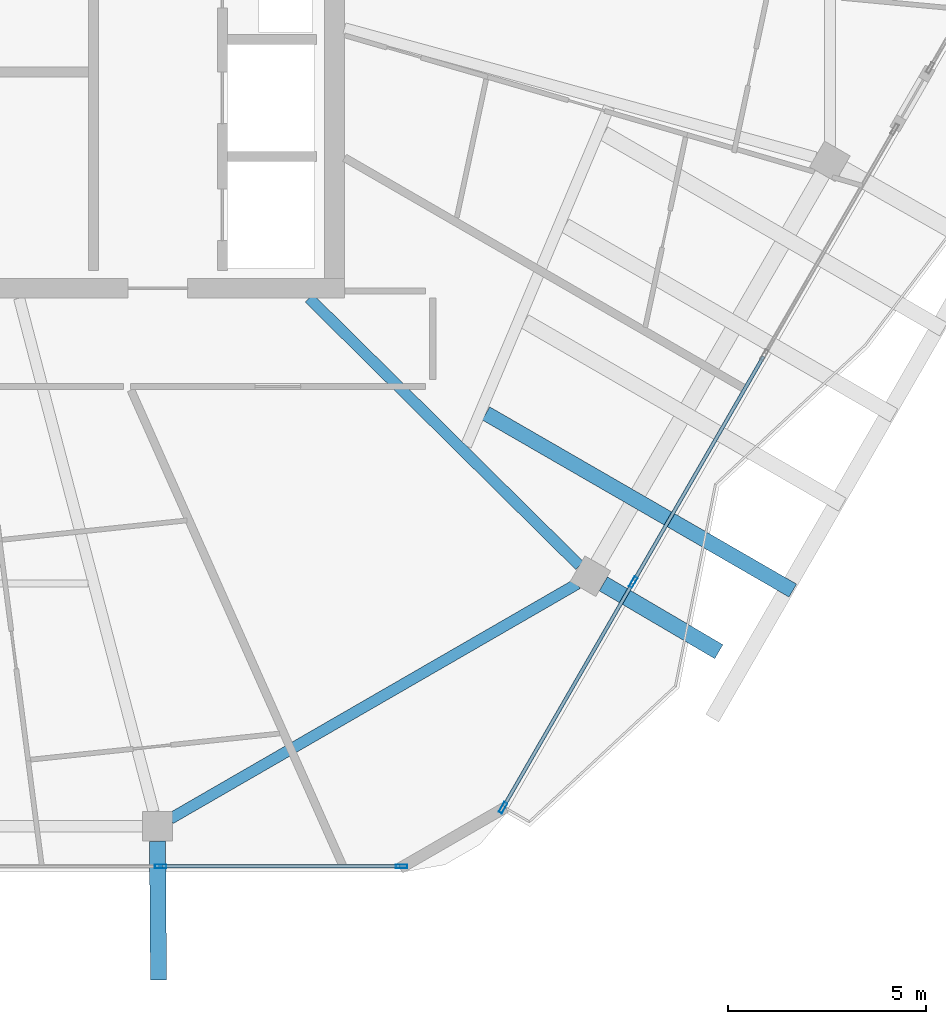
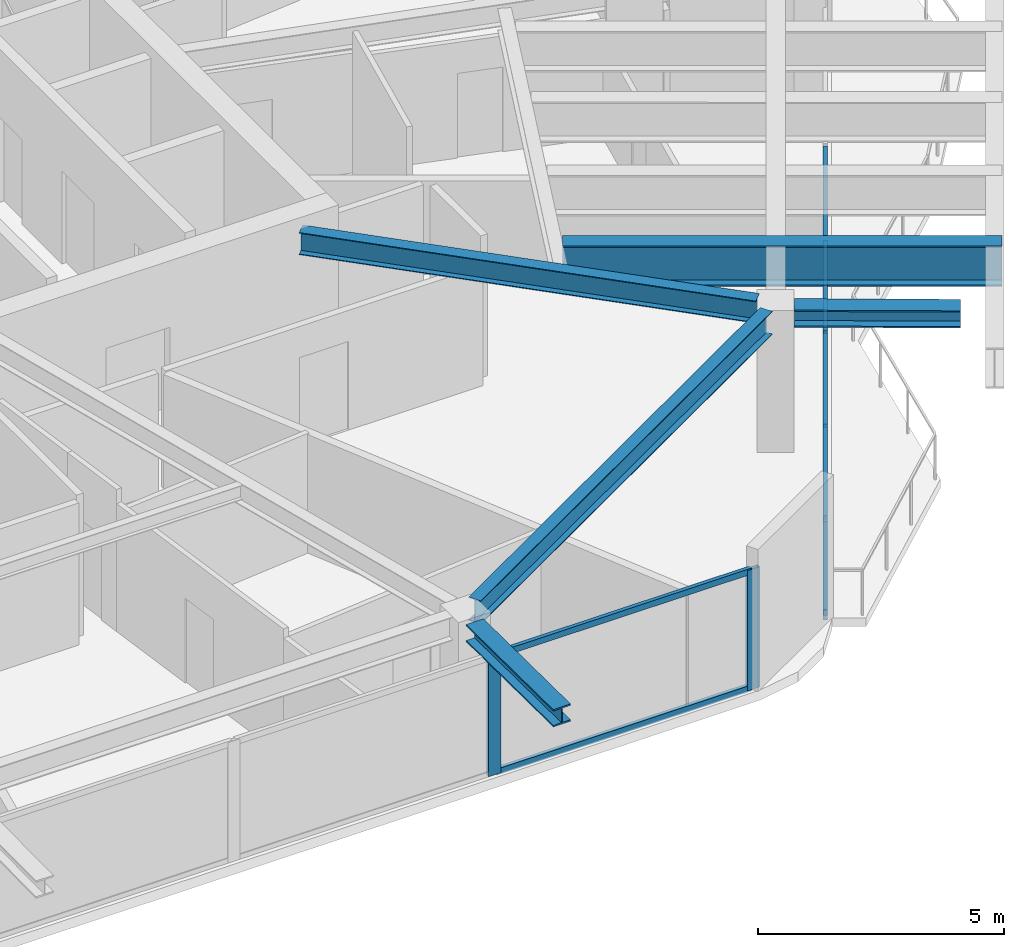
# One storey, part 5 of 23: 10 members, 5 beams, 2 elements without a shape of their own.
"""IFC4 building model written with IfcOpenShell, lengths in metres."""

from ifc_helpers import new_model, si_unit, direction, frame, origin, origin_2d, place, context, subcontext, project, spatial, hollow_rectangle, i_section, extrude, material, material_profile, profile_set, type_object, element, aggregate, save


model = new_model("IFC4")

# Units and contexts
model_context = context("Model", 3, precision=1e-05, world=origin(), true_north=direction((0.0, 1.0)))
body_context = subcontext(model_context, "Body", "Model", "MODEL_VIEW")
ifc_project = project(units=[si_unit("LENGTHUNIT", "METRE"), si_unit("AREAUNIT", "SQUARE_METRE"), si_unit("VOLUMEUNIT", "CUBIC_METRE"), si_unit("PLANEANGLEUNIT", "RADIAN"), si_unit("MASSUNIT", "GRAM", prefix="KILO")], contexts=[model_context])

# Site, building, storey
site_placement = place(None, origin())
site = spatial("IfcSite", under=ifc_project, at=site_placement, CompositionType="ELEMENT")
building_placement = place(site_placement, origin())
building = spatial("IfcBuilding", under=site, at=building_placement, Name="Zuhravey Tower", CompositionType="ELEMENT")
storey_placement = place(building_placement, frame((0.0, 0.0, 350.0)))
storey = spatial("IfcBuildingStorey", under=building, at=storey_placement, Name="L89", CompositionType="ELEMENT", Elevation=350.0)

# Curtain wall, members
ifc_material_1 = material(Name="Thermally broken anodised aluminium", Category="aluminium")
curtain_wall_type = type_object("IfcCurtainWallType", Name="Zone 3-4 High-Rise Curtain Wall CW4", PredefinedType="NOTDEFINED", material=ifc_material_1)
curtain_wall_1_placement = place(storey_placement, origin())
curtain_wall_1 = element("IfcCurtainWall", 1, at=curtain_wall_1_placement, inside=storey, type_object=curtain_wall_type, Name="L89 CW4 CW-L89-F6-2", PredefinedType="NOTDEFINED")
ifc_material_2 = material(Name="Anodised aluminium", Category="aluminium")
ifc_material_profile_1 = material_profile(ifc_material_2, hollow_rectangle(XDim=0.090087890625, YDim=0.284912109375, WallThickness=0.0048828125, at=origin_2d()), Name="ALU-RHS-90x285x5")
ifc_profile_set_1 = profile_set([ifc_material_profile_1], Name="Anodised aluminium")
member_type_1 = type_object("IfcMemberType", Name="Curtain-Wall Mullion 90x180", PredefinedType="MULLION", material=ifc_profile_set_1)
member_1_placement = place(storey_placement, frame((54.035400390625, 15.090087890625, 0.0), z_axis=(0.0, 0.0, 1.0), x_axis=(0.86602491538, -0.500000845941, 0.0)))
member_1 = element("IfcMember", 2, at=member_1_placement, type_object=member_type_1, Name="CW4 mullion 3", PredefinedType="MULLION", context=body_context, shape_type="SweptSolid", body=[
    extrude(hollow_rectangle(XDim=0.090087890625, YDim=0.284912109375, WallThickness=0.0048828125, at=origin_2d()), origin(), (0.0, 0.0, 1.0), 2.419921875),
])
member_2_placement = place(storey_placement, frame((50.751708984375, 9.40234375, 0.0), z_axis=(0.0, 0.0, 1.0), x_axis=(0.86602491538, -0.500000845941, 0.0)))
member_2 = element("IfcMember", 3, at=member_2_placement, type_object=member_type_1, Name="CW4 mullion 4", PredefinedType="MULLION", context=body_context, shape_type="SweptSolid", body=[
    extrude(hollow_rectangle(XDim=0.090087890625, YDim=0.284912109375, WallThickness=0.0048828125, at=origin_2d()), origin(), (0.0, 0.0, 1.0), 2.419921875),
])

curtain_wall_2_placement = place(storey_placement, origin())
curtain_wall_2 = element("IfcCurtainWall", 4, at=curtain_wall_2_placement, inside=storey, type_object=curtain_wall_type, Name="L89 CW4 CW-L89-F5-1", PredefinedType="NOTDEFINED")
member_3_placement = place(storey_placement, frame((48.1943359375, 7.92578125, 0.0), z_axis=(0.0, 0.0, 1.0), x_axis=(0.0, -1.0, 0.0)))
member_3 = element("IfcMember", 5, at=member_3_placement, type_object=member_type_1, Name="CW4 mullion 1", PredefinedType="MULLION", context=body_context, shape_type="SweptSolid", body=[
    extrude(hollow_rectangle(XDim=0.090087890625, YDim=0.284912109375, WallThickness=0.0048828125, at=origin_2d()), origin(), (0.0, 0.0, 1.0), 2.987060546875),
])
member_4_placement = place(storey_placement, frame((42.11962890625, 7.92578125, 0.0), z_axis=(0.0, 0.0, 1.0), x_axis=(0.0, -1.0, 0.0)))
member_4 = element("IfcMember", 6, at=member_4_placement, type_object=member_type_1, Name="CW4 mullion 2", PredefinedType="MULLION", context=body_context, shape_type="SweptSolid", body=[
    extrude(hollow_rectangle(XDim=0.090087890625, YDim=0.284912109375, WallThickness=0.0048828125, at=origin_2d()), origin(), (0.0, 0.0, 1.0), 2.987060546875),
])

# Member
ifc_material_profile_2 = material_profile(ifc_material_2, hollow_rectangle(XDim=0.090087890625, YDim=0.14990234375, WallThickness=0.0048828125, at=origin_2d()), Name="ALU-RHS-90x150x5")
ifc_profile_set_2 = profile_set([ifc_material_profile_2], Name="Anodised aluminium")
member_type_2 = type_object("IfcMemberType", Name="Curtain-Wall Transom 90x150", PredefinedType="USERDEFINED", material=ifc_profile_set_2)
member_5_placement = place(storey_placement, frame((57.319091796875, 20.77783203125, 0.044921875), z_axis=(-0.499995699848, -0.866027886464, 0.0), x_axis=(0.866027886464, -0.499995699848, 0.0)))
member_5 = element("IfcMember", 7, at=member_5_placement, type_object=member_type_2, Name="CW4 transom 2.1", ObjectType="TRANSOM", PredefinedType="USERDEFINED", context=body_context, shape_type="SweptSolid", body=[
    extrude(hollow_rectangle(XDim=0.090087890625, YDim=0.14990234375, WallThickness=0.0048828125, at=origin_2d()), origin(), (0.0, 0.0, 1.0), 6.5224609375),
])

member_6_placement = place(storey_placement, frame((57.319091796875, 20.77783203125, 2.375), z_axis=(-0.499995699848, -0.866027886464, 0.0), x_axis=(0.866027886464, -0.499995699848, 0.0)))
member_6 = element("IfcMember", 8, at=member_6_placement, type_object=member_type_2, Name="CW4 transom 2.2", ObjectType="TRANSOM", PredefinedType="USERDEFINED", context=body_context, shape_type="SweptSolid", body=[
    extrude(hollow_rectangle(XDim=0.090087890625, YDim=0.14990234375, WallThickness=0.0048828125, at=origin_2d()), origin(), (0.0, 0.0, 1.0), 6.5224609375),
])

member_7_placement = place(storey_placement, frame((54.012939453125, 15.051025390625, 0.044921875), z_axis=(-0.500006299954, -0.866021766474, 0.0), x_axis=(0.866021766474, -0.500006299954, 0.0)))
member_7 = element("IfcMember", 9, at=member_7_placement, type_object=member_type_2, Name="CW4 transom 3.1", ObjectType="TRANSOM", PredefinedType="USERDEFINED", context=body_context, shape_type="SweptSolid", body=[
    extrude(hollow_rectangle(XDim=0.090087890625, YDim=0.14990234375, WallThickness=0.0048828125, at=origin_2d()), origin(), (0.0, 0.0, 1.0), 6.4775390625),
])

member_8_placement = place(storey_placement, frame((54.012939453125, 15.051025390625, 2.375), z_axis=(-0.500006299954, -0.866021766474, 0.0), x_axis=(0.866021766474, -0.500006299954, 0.0)))
member_8 = element("IfcMember", 10, at=member_8_placement, type_object=member_type_2, Name="CW4 transom 3.2", ObjectType="TRANSOM", PredefinedType="USERDEFINED", context=body_context, shape_type="SweptSolid", body=[
    extrude(hollow_rectangle(XDim=0.090087890625, YDim=0.14990234375, WallThickness=0.0048828125, at=origin_2d()), origin(), (0.0, 0.0, 1.0), 6.4775390625),
])

aggregate(curtain_wall_1, [member_1, member_2, member_5, member_6, member_7, member_8])

member_9_placement = place(storey_placement, frame((48.1494140625, 7.92578125, 0.044921875), z_axis=(-1.0, 0.0, 0.0), x_axis=(0.0, -1.0, 0.0)))
member_9 = element("IfcMember", 11, at=member_9_placement, type_object=member_type_2, Name="CW4 transom 1.1", ObjectType="TRANSOM", PredefinedType="USERDEFINED", context=body_context, shape_type="SweptSolid", body=[
    extrude(hollow_rectangle(XDim=0.090087890625, YDim=0.14990234375, WallThickness=0.0048828125, at=origin_2d()), origin(), (0.0, 0.0, 1.0), 5.98486328125),
])

member_10_placement = place(storey_placement, frame((48.1494140625, 7.92578125, 2.94189453125), z_axis=(-1.0, 0.0, 0.0), x_axis=(0.0, -1.0, 0.0)))
member_10 = element("IfcMember", 12, at=member_10_placement, type_object=member_type_2, Name="CW4 transom 1.2", ObjectType="TRANSOM", PredefinedType="USERDEFINED", context=body_context, shape_type="SweptSolid", body=[
    extrude(hollow_rectangle(XDim=0.090087890625, YDim=0.14990234375, WallThickness=0.0048828125, at=origin_2d()), origin(), (0.0, 0.0, 1.0), 5.98486328125),
])

aggregate(curtain_wall_2, [member_3, member_4, member_9, member_10])

# Beams
ifc_material_3 = material(Name="Steel SM460", Category="steel")
ifc_material_profile_3 = material_profile(ifc_material_3, i_section(OverallWidth=0.406982421875, OverallDepth=0.427978515625, WebThickness=0.02001953125, FlangeThickness=0.034912109375, at=origin_2d()), Name="H-428x407x20x35")
ifc_profile_set_3 = profile_set([ifc_material_profile_3], Name="Steel SM460")
beam_type_1 = type_object("IfcBeamType", Name="Exoskeleton Node Tie Beam H428x407", PredefinedType="BEAM", material=ifc_profile_set_3)
beam_1_placement = place(storey_placement, frame((42.04150390625, 8.556884765625, 3.200927734375), z_axis=(0.00740203185, -0.999972604587, 0.0), x_axis=(0.999972604587, 0.00740203185, 0.0)))
element("IfcBeam", 13, at=beam_1_placement, inside=storey, type_object=beam_type_1, Name="L89 Exoskeleton Node Tie NT1-10", PredefinedType="BEAM", context=body_context, shape_type="SweptSolid", body=[
    extrude(i_section(OverallWidth=0.406982421875, OverallDepth=0.427978515625, WebThickness=0.02001953125, FlangeThickness=0.034912109375, at=origin_2d()), origin(), (0.0, 0.0, 1.0), 3.49609375),
])
beam_2_placement = place(storey_placement, frame((53.281494140625, 15.04638671875, 3.200927734375), z_axis=(0.862172060963, -0.506615571509, 0.0), x_axis=(0.506615571509, 0.862172060963, 0.0)))
element("IfcBeam", 14, at=beam_2_placement, inside=storey, type_object=beam_type_1, Name="L89 Exoskeleton Node Tie NT1-11", PredefinedType="BEAM", context=body_context, shape_type="SweptSolid", body=[
    extrude(i_section(OverallWidth=0.406982421875, OverallDepth=0.427978515625, WebThickness=0.02001953125, FlangeThickness=0.034912109375, at=origin_2d()), origin(), (0.0, 0.0, 1.0), 3.376220703125),
])
ifc_material_4 = material(Name="Steel SM355", Category="steel")
ifc_material_profile_4 = material_profile(ifc_material_4, i_section(OverallWidth=0.280029296875, OverallDepth=0.580078125, WebThickness=0.011962890625, FlangeThickness=0.01904296875, at=origin_2d()), Name="H-580x280x12x19")
ifc_profile_set_4 = profile_set([ifc_material_profile_4], Name="Steel SM355")
beam_type_2 = type_object("IfcBeamType", Name="Perimeter Ring Beam H580x280", PredefinedType="BEAM", material=ifc_profile_set_4)
beam_3_placement = place(storey_placement, frame((42.365966796875, 9.125, 3.22998046875), z_axis=(0.866030838723, 0.499990586292, 0.0), x_axis=(-0.499990586292, 0.866030838723, 0.0)))
element("IfcBeam", 15, at=beam_3_placement, inside=storey, type_object=beam_type_2, Name="L89 PB4 BM-L89-PB-10", PredefinedType="BEAM", context=body_context, shape_type="SweptSolid", body=[
    extrude(i_section(OverallWidth=0.280029296875, OverallDepth=0.580078125, WebThickness=0.011962890625, FlangeThickness=0.01904296875, at=origin_2d()), origin(), (0.0, 0.0, 1.0), 11.848876953125),
])
ifc_material_profile_5 = material_profile(ifc_material_4, i_section(OverallWidth=0.280029296875, OverallDepth=0.550048828125, WebThickness=0.010986328125, FlangeThickness=0.01806640625, at=origin_2d()), Name="H-550x280x11x18")
ifc_profile_set_5 = profile_set([ifc_material_profile_5], Name="Steel SM355")
beam_type_3 = type_object("IfcBeamType", Name="Radial Primary Girder H550x280", PredefinedType="BEAM", material=ifc_profile_set_5)
beam_4_placement = place(storey_placement, frame((45.865234375, 22.2470703125, 3.2451171875), z_axis=(0.711142578304, -0.703047817238, 0.0), x_axis=(0.703047817238, 0.711142578304, 0.0)))
element("IfcBeam", 16, at=beam_4_placement, inside=storey, type_object=beam_type_3, Name="L89 RG4 BM-L89-RAD-11", PredefinedType="BEAM", context=body_context, shape_type="SweptSolid", body=[
    extrude(i_section(OverallWidth=0.280029296875, OverallDepth=0.550048828125, WebThickness=0.010986328125, FlangeThickness=0.01806640625, at=origin_2d()), origin(), (0.0, 0.0, 1.0), 9.591064453125),
])
ifc_material_profile_6 = material_profile(ifc_material_3, i_section(OverallWidth=0.3798828125, OverallDepth=1.0, WebThickness=0.02001953125, FlangeThickness=0.035888671875, at=origin_2d()), Name="H-1000x380x20x36")
ifc_profile_set_6 = profile_set([ifc_material_profile_6], Name="Steel SM460")
beam_type_4 = type_object("IfcBeamType", Name="Sky-Pool Saddle Girder H1000x380", PredefinedType="BEAM", material=ifc_profile_set_6)
beam_5_placement = place(storey_placement, frame((50.322021484375, 19.34326171875, 2.919921875), z_axis=(0.866036299256, -0.499981128015, 0.0), x_axis=(0.499981128015, 0.866036299256, 0.0)))
element("IfcBeam", 17, at=beam_5_placement, inside=storey, type_object=beam_type_4, Name="L89 Sky-Pool Saddle Girder SPG1-01", PredefinedType="BEAM", context=body_context, shape_type="SweptSolid", body=[
    extrude(i_section(OverallWidth=0.3798828125, OverallDepth=1.0, WebThickness=0.02001953125, FlangeThickness=0.035888671875, at=origin_2d()), origin(), (0.0, 0.0, 1.0), 8.932373046875),
])

save(model, "model.ifc")
